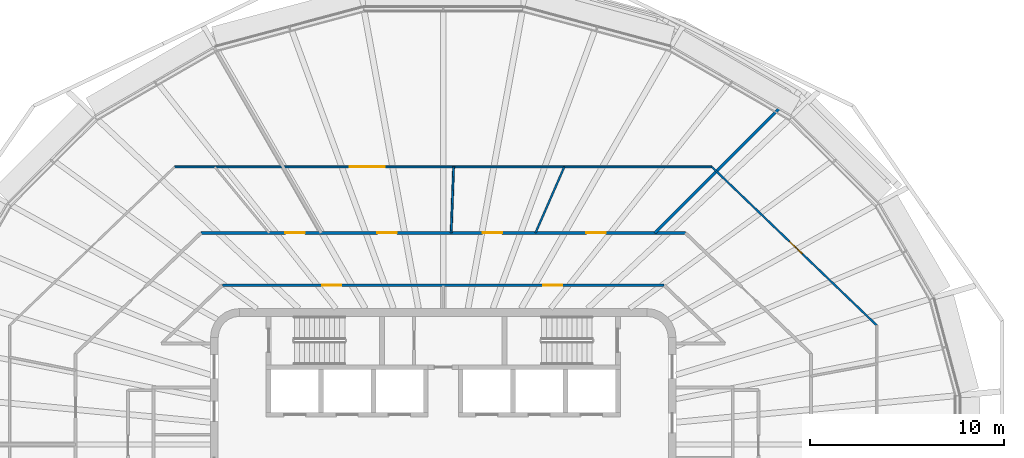
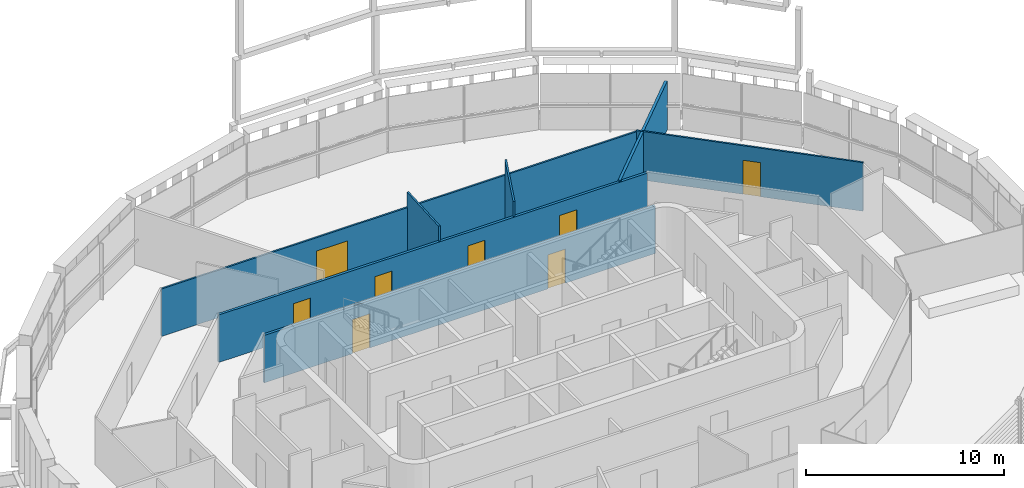
# One storey, part 13 of 21: 8 doors, 7 walls, 8 openings.
"""IFC4 building model written with IfcOpenShell, lengths in metres."""

from ifc_helpers import new_model, si_unit, direction, frame, frame_2d, origin, place, context, subcontext, project, spatial, rectangle, extrude, material, layer, layer_set, type_object, element, fill, save


model = new_model("IFC4")

# Units and contexts
model_context = context("Model", 3, precision=1e-05, world=origin(), true_north=direction((0.0, 1.0)))
body_context = subcontext(model_context, "Body", "Model", "MODEL_VIEW")
ifc_project = project(units=[si_unit("LENGTHUNIT", "METRE"), si_unit("AREAUNIT", "SQUARE_METRE"), si_unit("VOLUMEUNIT", "CUBIC_METRE"), si_unit("PLANEANGLEUNIT", "RADIAN"), si_unit("MASSUNIT", "GRAM", prefix="KILO")], contexts=[model_context])

# Site, building, storey
site_placement = place(None, origin())
site = spatial("IfcSite", under=ifc_project, at=site_placement, CompositionType="ELEMENT")
building_placement = place(site_placement, origin())
building = spatial("IfcBuilding", under=site, at=building_placement, Name="Sahrelin Media Tower", CompositionType="ELEMENT")
storey_placement = place(building_placement, frame((0.0, 0.0, 304.39990234375)))
storey = spatial("IfcBuildingStorey", under=building, at=storey_placement, Name="L67", CompositionType="ELEMENT", Elevation=304.39990234375)

# Wall, openings, doors
ifc_material_1 = material(Name="Fire-rated gypsum board partition")
ifc_layer_1 = layer(ifc_material_1, 0.14990234375)
ifc_layer_set_1 = layer_set([ifc_layer_1], Name="Fire-rated partition 150")
wall_type_1 = type_object("IfcWallType", Name="Fire-rated partition 150", PredefinedType="PARTITIONING", material=ifc_layer_set_1)
wall_1_placement = place(storey_placement, frame((-11.39111328125, 8.198974609375, 0.0), z_axis=(0.0, 0.0, 1.0), x_axis=(1.0, 0.0, 0.0)))
wall_1 = element("IfcWall", 1, at=wall_1_placement, inside=storey, type_object=wall_type_1, Name="Wall", PredefinedType="PARTITIONING", context=body_context, shape_type="SweptSolid", body=[
    extrude(rectangle(XDim=22.7822265625, YDim=0.14990234375, at=frame_2d((11.39111328125, 0.0))), origin(), (0.0, 0.0, 1.0), 2.927001953125),
])
opening_1_placement = place(wall_1_placement, frame((16.535888671875, 0.0, 0.0)))
opening_1 = element("IfcOpeningElement", 2, at=opening_1_placement, cuts=wall_1, Name="Opening L67-D21", PredefinedType="OPENING", context=body_context, shape_type="SweptSolid", body=[
    extrude(rectangle(XDim=1.0, YDim=2.10009765625, at=frame_2d((0.5, 1.050048828125))), frame((0.0, 0.074951171875, 0.0), z_axis=(0.0, -1.0, 0.0), x_axis=(1.0, 0.0, 0.0)), (0.0, 0.0, 1.0), 0.14990234375),
])
opening_2_placement = place(wall_1_placement, frame((5.14501953125, 0.0, 0.0)))
opening_2 = element("IfcOpeningElement", 3, at=opening_2_placement, cuts=wall_1, Name="Opening L67-D22", PredefinedType="OPENING", context=body_context, shape_type="SweptSolid", body=[
    extrude(rectangle(XDim=1.0, YDim=2.10009765625, at=frame_2d((0.5, 1.050048828125))), frame((0.0, 0.074951171875, 0.0), z_axis=(0.0, -1.0, 0.0), x_axis=(1.0, 0.0, 0.0)), (0.0, 0.0, 1.0), 0.14990234375),
])
ifc_material_2 = material(Name="Steel fire door leaf", Category="steel")
door_type_1 = type_object("IfcDoorType", Name="Fire door 1000 x 2100 EI 60", OperationType="NOTDEFINED", PredefinedType="DOOR", material=ifc_material_2)
door_1_placement = place(opening_1_placement, origin())
door_1 = element("IfcDoor", 4, at=door_1_placement, inside=storey, type_object=door_type_1, Name="Fire door", OperationType="SINGLE_SWING_LEFT", OverallHeight=2.10009765625, OverallWidth=1.0, PredefinedType="DOOR", context=body_context, shape_type="SweptSolid", body=[
    extrude(rectangle(XDim=1.0, YDim=2.10009765625, at=frame_2d((0.5, 1.050048828125))), frame((0.0, 0.02490234375, 0.0), z_axis=(0.0, -1.0, 0.0), x_axis=(1.0, 0.0, 0.0)), (0.0, 0.0, 1.0), 0.050048828125),
])
fill(opening_1, door_1)
door_2_placement = place(opening_2_placement, origin())
door_2 = element("IfcDoor", 5, at=door_2_placement, inside=storey, type_object=door_type_1, Name="Fire door", OperationType="SINGLE_SWING_RIGHT", OverallHeight=2.10009765625, OverallWidth=1.0, PredefinedType="DOOR", context=body_context, shape_type="SweptSolid", body=[
    extrude(rectangle(XDim=1.0, YDim=2.10009765625, at=frame_2d((0.5, 1.050048828125))), frame((0.0, 0.02490234375, 0.0), z_axis=(0.0, -1.0, 0.0), x_axis=(1.0, 0.0, 0.0)), (0.0, 0.0, 1.0), 0.050048828125),
])
fill(opening_2, door_2)

wall_2_placement = place(storey_placement, frame((-12.47802734375, 10.89892578125, 0.0), z_axis=(0.0, 0.0, 1.0), x_axis=(1.0, 0.0, 0.0)))
wall_2 = element("IfcWall", 6, at=wall_2_placement, inside=storey, type_object=wall_type_1, Name="Wall", PredefinedType="PARTITIONING", context=body_context, shape_type="SweptSolid", body=[
    extrude(rectangle(XDim=24.9560546875, YDim=0.14990234375, at=frame_2d((12.47802734375, 0.0))), origin(), (0.0, 0.0, 1.0), 2.927001953125),
])
opening_3_placement = place(wall_2_placement, frame((19.855712890625, 0.0, 0.0)))
opening_3 = element("IfcOpeningElement", 7, at=opening_3_placement, cuts=wall_2, Name="Opening L67-D24", PredefinedType="OPENING", context=body_context, shape_type="SweptSolid", body=[
    extrude(rectangle(XDim=1.0, YDim=2.10009765625, at=frame_2d((0.5, 1.050048828125))), frame((0.0, 0.074951171875, 0.0), z_axis=(0.0, -1.0, 0.0), x_axis=(1.0, 0.0, 0.0)), (0.0, 0.0, 1.0), 0.14990234375),
])
opening_4_placement = place(wall_2_placement, frame((14.50830078125, 0.0, 0.0)))
opening_4 = element("IfcOpeningElement", 8, at=opening_4_placement, cuts=wall_2, Name="Opening L67-D25", PredefinedType="OPENING", context=body_context, shape_type="SweptSolid", body=[
    extrude(rectangle(XDim=1.0, YDim=2.10009765625, at=frame_2d((0.5, 1.050048828125))), frame((0.0, 0.074951171875, 0.0), z_axis=(0.0, -1.0, 0.0), x_axis=(1.0, 0.0, 0.0)), (0.0, 0.0, 1.0), 0.14990234375),
])
opening_5_placement = place(wall_2_placement, frame((9.0859375, 0.0, 0.0)))
opening_5 = element("IfcOpeningElement", 9, at=opening_5_placement, cuts=wall_2, Name="Opening L67-D26", PredefinedType="OPENING", context=body_context, shape_type="SweptSolid", body=[
    extrude(rectangle(XDim=1.0, YDim=2.10009765625, at=frame_2d((0.5, 1.050048828125))), frame((0.0, 0.074951171875, 0.0), z_axis=(0.0, -1.0, 0.0), x_axis=(1.0, 0.0, 0.0)), (0.0, 0.0, 1.0), 0.14990234375),
])
opening_6_placement = place(wall_2_placement, frame((4.343994140625, 0.0, 0.0)))
opening_6 = element("IfcOpeningElement", 10, at=opening_6_placement, cuts=wall_2, Name="Opening L67-D28", PredefinedType="OPENING", context=body_context, shape_type="SweptSolid", body=[
    extrude(rectangle(XDim=1.0, YDim=2.10009765625, at=frame_2d((0.5, 1.050048828125))), frame((0.0, 0.074951171875, 0.0), z_axis=(0.0, -1.0, 0.0), x_axis=(1.0, 0.0, 0.0)), (0.0, 0.0, 1.0), 0.14990234375),
])
door_3_placement = place(opening_3_placement, origin())
door_3 = element("IfcDoor", 11, at=door_3_placement, inside=storey, type_object=door_type_1, Name="Fire door", OperationType="SINGLE_SWING_RIGHT", OverallHeight=2.10009765625, OverallWidth=1.0, PredefinedType="DOOR", context=body_context, shape_type="SweptSolid", body=[
    extrude(rectangle(XDim=1.0, YDim=2.10009765625, at=frame_2d((0.5, 1.050048828125))), frame((0.0, 0.02490234375, 0.0), z_axis=(0.0, -1.0, 0.0), x_axis=(1.0, 0.0, 0.0)), (0.0, 0.0, 1.0), 0.050048828125),
])
fill(opening_3, door_3)
door_4_placement = place(opening_4_placement, origin())
door_4 = element("IfcDoor", 12, at=door_4_placement, inside=storey, type_object=door_type_1, Name="Fire door", OperationType="SINGLE_SWING_RIGHT", OverallHeight=2.10009765625, OverallWidth=1.0, PredefinedType="DOOR", context=body_context, shape_type="SweptSolid", body=[
    extrude(rectangle(XDim=1.0, YDim=2.10009765625, at=frame_2d((0.5, 1.050048828125))), frame((0.0, 0.02490234375, 0.0), z_axis=(0.0, -1.0, 0.0), x_axis=(1.0, 0.0, 0.0)), (0.0, 0.0, 1.0), 0.050048828125),
])
fill(opening_4, door_4)
door_5_placement = place(opening_5_placement, origin())
door_5 = element("IfcDoor", 13, at=door_5_placement, inside=storey, type_object=door_type_1, Name="Fire door", OperationType="SINGLE_SWING_LEFT", OverallHeight=2.10009765625, OverallWidth=1.0, PredefinedType="DOOR", context=body_context, shape_type="SweptSolid", body=[
    extrude(rectangle(XDim=1.0, YDim=2.10009765625, at=frame_2d((0.5, 1.050048828125))), frame((0.0, 0.02490234375, 0.0), z_axis=(0.0, -1.0, 0.0), x_axis=(1.0, 0.0, 0.0)), (0.0, 0.0, 1.0), 0.050048828125),
])
fill(opening_5, door_5)
door_6_placement = place(opening_6_placement, origin())
door_6 = element("IfcDoor", 14, at=door_6_placement, inside=storey, type_object=door_type_1, Name="Fire door", OperationType="SINGLE_SWING_LEFT", OverallHeight=2.10009765625, OverallWidth=1.0, PredefinedType="DOOR", context=body_context, shape_type="SweptSolid", body=[
    extrude(rectangle(XDim=1.0, YDim=2.10009765625, at=frame_2d((0.5, 1.050048828125))), frame((0.0, 0.02490234375, 0.0), z_axis=(0.0, -1.0, 0.0), x_axis=(1.0, 0.0, 0.0)), (0.0, 0.0, 1.0), 0.050048828125),
])
fill(opening_6, door_6)

# Wall
wall_3_placement = place(storey_placement, frame((10.89892578125, 10.89892578125, 0.0), z_axis=(0.0, 0.0, 1.0), x_axis=(0.707106781187, 0.707106781187, 0.0)))
element("IfcWall", 15, at=wall_3_placement, inside=storey, type_object=wall_type_1, Name="Wall", PredefinedType="PARTITIONING", context=body_context, shape_type="SweptSolid", body=[
    extrude(rectangle(XDim=9.068115234375, YDim=0.14990234375, at=frame_2d((4.5341796875, 0.0))), origin(), (0.0, 0.0, 1.0), 2.995361328125),
])

# Wall, opening, door
ifc_material_3 = material(Name="Gypsum board partition")
ifc_layer_2 = layer(ifc_material_3, 0.10009765625)
ifc_layer_set_2 = layer_set([ifc_layer_2], Name="Partition 100")
wall_type_2 = type_object("IfcWallType", Name="Partition 100", PredefinedType="PARTITIONING", material=ifc_layer_set_2)
wall_4_placement = place(storey_placement, frame((13.845947265625, 14.299072265625, 0.0), z_axis=(0.0, 0.0, 1.0), x_axis=(0.72117874289, -0.692749031615, 0.0)))
wall_4 = element("IfcWall", 16, at=wall_4_placement, inside=storey, type_object=wall_type_2, Name="Wall", PredefinedType="PARTITIONING", context=body_context, shape_type="SweptSolid", body=[
    extrude(rectangle(XDim=11.790771484375, YDim=0.10009765625, at=frame_2d((5.8955078125, 0.0))), origin(), (0.0, 0.0, 1.0), 2.995361328125),
])
opening_7_placement = place(wall_4_placement, frame((5.55712890625, 0.0, 0.0)))
opening_7 = element("IfcOpeningElement", 17, at=opening_7_placement, cuts=wall_4, Name="Opening L67-D40", PredefinedType="OPENING", context=body_context, shape_type="SweptSolid", body=[
    extrude(rectangle(XDim=0.89990234375, YDim=2.10009765625, at=frame_2d((0.449951171875, 1.050048828125))), frame((0.0, 0.050048828125, 0.0), z_axis=(0.0, -1.0, 0.0), x_axis=(1.0, 0.0, 0.0)), (0.0, 0.0, 1.0), 0.10009765625),
])
ifc_material_4 = material(Name="Timber door leaf", Category="wood")
door_type_2 = type_object("IfcDoorType", Name="Single door 900 x 2100", OperationType="NOTDEFINED", PredefinedType="DOOR", material=ifc_material_4)
door_7_placement = place(opening_7_placement, origin())
door_7 = element("IfcDoor", 18, at=door_7_placement, inside=storey, type_object=door_type_2, Name="Single door", OperationType="SINGLE_SWING_RIGHT", OverallHeight=2.10009765625, OverallWidth=0.89990234375, PredefinedType="DOOR", context=body_context, shape_type="SweptSolid", body=[
    extrude(rectangle(XDim=0.89990234375, YDim=2.10009765625, at=frame_2d((0.449951171875, 1.050048828125))), frame((0.0, 0.02490234375, 0.0), z_axis=(0.0, -1.0, 0.0), x_axis=(1.0, 0.0, 0.0)), (0.0, 0.0, 1.0), 0.050048828125),
])
fill(opening_7, door_7)

wall_5_placement = place(storey_placement, frame((-13.845947265625, 14.299072265625, 0.0), z_axis=(0.0, 0.0, 1.0), x_axis=(1.0, 0.0, 0.0)))
wall_5 = element("IfcWall", 19, at=wall_5_placement, inside=storey, type_object=wall_type_2, Name="Wall", PredefinedType="PARTITIONING", context=body_context, shape_type="SweptSolid", body=[
    extrude(rectangle(XDim=27.69189453125, YDim=0.10009765625, at=frame_2d((13.845947265625, 0.0))), origin(), (0.0, 0.0, 1.0), 2.927001953125),
])
opening_8_placement = place(wall_5_placement, frame((9.03515625, 0.0, 0.0)))
opening_8 = element("IfcOpeningElement", 20, at=opening_8_placement, cuts=wall_5, Name="Opening L67-D27", PredefinedType="OPENING", context=body_context, shape_type="SweptSolid", body=[
    extrude(rectangle(XDim=1.800048828125, YDim=2.10009765625, at=frame_2d((0.89990234375, 1.050048828125))), frame((0.0, 0.050048828125, 0.0), z_axis=(0.0, -1.0, 0.0), x_axis=(1.0, 0.0, 0.0)), (0.0, 0.0, 1.0), 0.10009765625),
])
door_type_3 = type_object("IfcDoorType", Name="Double door 1800 x 2100", OperationType="DOUBLE_DOOR_SINGLE_SWING", PredefinedType="DOOR", material=ifc_material_4)
door_8_placement = place(opening_8_placement, origin())
door_8 = element("IfcDoor", 21, at=door_8_placement, inside=storey, type_object=door_type_3, Name="Double door", OperationType="DOUBLE_DOOR_SINGLE_SWING", OverallHeight=2.10009765625, OverallWidth=1.800048828125, PredefinedType="DOOR", context=body_context, shape_type="SweptSolid", body=[
    extrude(rectangle(XDim=1.800048828125, YDim=2.10009765625, at=frame_2d((0.89990234375, 1.050048828125))), frame((0.0, 0.02490234375, 0.0), z_axis=(0.0, -1.0, 0.0), x_axis=(1.0, 0.0, 0.0)), (0.0, 0.0, 1.0), 0.050048828125),
])
fill(opening_8, door_8)

# Walls
wall_6_placement = place(storey_placement, frame((4.7548828125, 10.89892578125, 0.0), z_axis=(0.0, 0.0, 1.0), x_axis=(0.400041949281, 0.916496829681, 0.0)))
element("IfcWall", 22, at=wall_6_placement, inside=storey, type_object=wall_type_2, Name="Wall", PredefinedType="PARTITIONING", context=body_context, shape_type="SweptSolid", body=[
    extrude(rectangle(XDim=3.7099609375, YDim=0.10009765625, at=frame_2d((1.85498046875, 0.0))), origin(), (0.0, 0.0, 1.0), 3.85009765625),
])
wall_7_placement = place(storey_placement, frame((0.407958984375, 10.89892578125, 0.0), z_axis=(0.0, 0.0, 1.0), x_axis=(0.037311546962, 0.999303681802, 0.0)))
element("IfcWall", 23, at=wall_7_placement, inside=storey, type_object=wall_type_2, Name="Wall", PredefinedType="PARTITIONING", context=body_context, shape_type="SweptSolid", body=[
    extrude(rectangle(XDim=3.402587890625, YDim=0.10009765625, at=frame_2d((1.701171875, 0.0))), origin(), (0.0, 0.0, 1.0), 3.85009765625),
])

save(model, "model.ifc")
